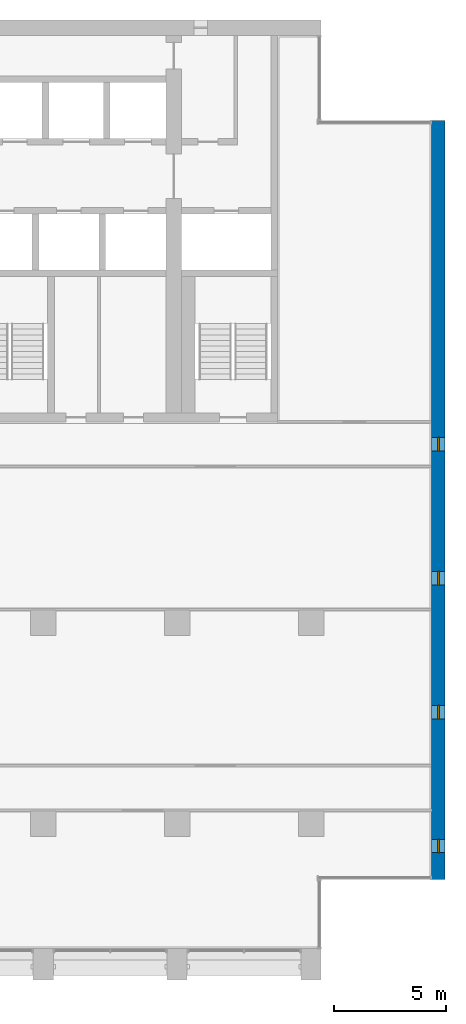
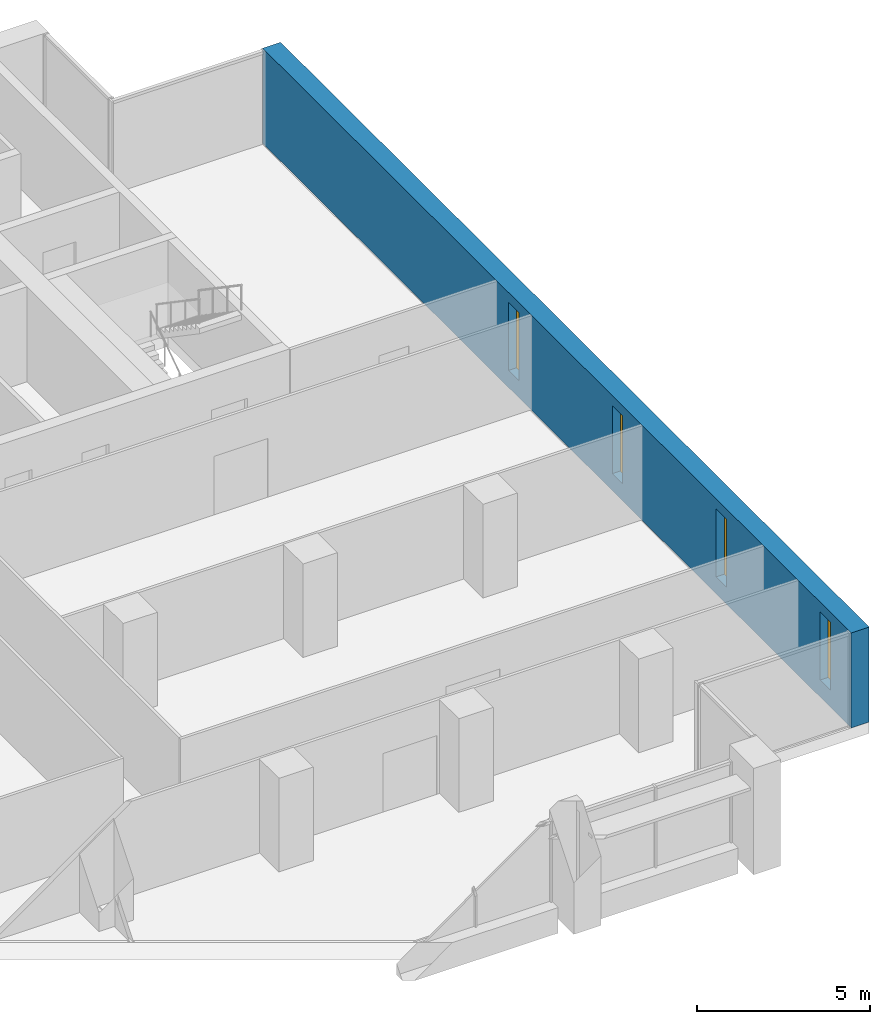
# One storey, part 12 of 16: 4 windows, 1 wall, 4 openings.
"""IFC4 building model written with IfcOpenShell, lengths in metres."""

from ifc_helpers import new_model, si_unit, direction, frame, frame_2d, origin, place, context, subcontext, project, spatial, rectangle, extrude, material, layer, layer_set, type_object, element, fill, save


model = new_model("IFC4")

# Units and contexts
model_context = context("Model", 3, precision=1e-05, world=origin(), true_north=direction((0.0, 1.0)))
body_context = subcontext(model_context, "Body", "Model", "MODEL_VIEW")
ifc_project = project(units=[si_unit("LENGTHUNIT", "METRE"), si_unit("AREAUNIT", "SQUARE_METRE"), si_unit("VOLUMEUNIT", "CUBIC_METRE"), si_unit("PLANEANGLEUNIT", "RADIAN"), si_unit("MASSUNIT", "GRAM", prefix="KILO")], contexts=[model_context])

# Site, building, storey
site_placement = place(None, origin())
site = spatial("IfcSite", under=ifc_project, at=site_placement, CompositionType="ELEMENT")
building_placement = place(site_placement, origin())
building = spatial("IfcBuilding", under=site, at=building_placement, Name="Calvaro Tower", CompositionType="ELEMENT")
storey_placement = place(building_placement, frame((0.0, 0.0, 181.75)))
storey = spatial("IfcBuildingStorey", under=building, at=storey_placement, Name="L45", CompositionType="ELEMENT", Elevation=181.75)

# Wall, openings, windows
ifc_material_1 = material(Name="Concrete C50/60", Category="concrete")
ifc_layer = layer(ifc_material_1, 0.60009765625)
ifc_layer_set = layer_set([ifc_layer], Name="Concrete C50/60")
wall_type = type_object("IfcWallType", Name="End wall 600 C50/60", PredefinedType="SHEAR", material=ifc_layer_set)
wall_placement = place(storey_placement, frame((71.699951171875, 7.5, 0.0), z_axis=(0.0, 0.0, 1.0), x_axis=(0.0, 1.0, 0.0)))
wall = element("IfcWall", 1, at=wall_placement, inside=storey, type_object=wall_type, Name="End shear wall", PredefinedType="SHEAR", context=body_context, shape_type="SweptSolid", body=[
    extrude(rectangle(XDim=34.0, YDim=0.60009765625, at=frame_2d((17.0, 0.0))), origin(), (0.0, 0.0, 1.0), 3.35009765625),
])
opening_1_placement = place(wall_placement, frame((1.199951171875, 0.0, 0.60009765625)))
opening_1 = element("IfcOpeningElement", 2, at=opening_1_placement, cuts=wall, Name="Opening WE01", PredefinedType="OPENING", context=body_context, shape_type="SweptSolid", body=[
    extrude(rectangle(XDim=0.60009765625, YDim=2.39990234375, at=frame_2d((0.300048828125, 1.199951171875))), frame((0.0, 0.31005859375, 0.0), z_axis=(0.0, -1.0, 0.0), x_axis=(1.0, 0.0, 0.0)), (0.0, 0.0, 1.0), 0.6201171875),
])
opening_2_placement = place(wall_placement, frame((7.199951171875, 0.0, 0.60009765625)))
opening_2 = element("IfcOpeningElement", 3, at=opening_2_placement, cuts=wall, Name="Opening WE02", PredefinedType="OPENING", context=body_context, shape_type="SweptSolid", body=[
    extrude(rectangle(XDim=0.60009765625, YDim=2.39990234375, at=frame_2d((0.300048828125, 1.199951171875))), frame((0.0, 0.31005859375, 0.0), z_axis=(0.0, -1.0, 0.0), x_axis=(1.0, 0.0, 0.0)), (0.0, 0.0, 1.0), 0.6201171875),
])
opening_3_placement = place(wall_placement, frame((13.199951171875, 0.0, 0.60009765625)))
opening_3 = element("IfcOpeningElement", 4, at=opening_3_placement, cuts=wall, Name="Opening WE03", PredefinedType="OPENING", context=body_context, shape_type="SweptSolid", body=[
    extrude(rectangle(XDim=0.60009765625, YDim=2.39990234375, at=frame_2d((0.300048828125, 1.199951171875))), frame((0.0, 0.31005859375, 0.0), z_axis=(0.0, -1.0, 0.0), x_axis=(1.0, 0.0, 0.0)), (0.0, 0.0, 1.0), 0.6201171875),
])
opening_4_placement = place(wall_placement, frame((19.199951171875, 0.0, 0.60009765625)))
opening_4 = element("IfcOpeningElement", 5, at=opening_4_placement, cuts=wall, Name="Opening WE04", PredefinedType="OPENING", context=body_context, shape_type="SweptSolid", body=[
    extrude(rectangle(XDim=0.60009765625, YDim=2.39990234375, at=frame_2d((0.300048828125, 1.199951171875))), frame((0.0, 0.31005859375, 0.0), z_axis=(0.0, -1.0, 0.0), x_axis=(1.0, 0.0, 0.0)), (0.0, 0.0, 1.0), 0.6201171875),
])
ifc_material_2 = material(Name="Glass", Category="glass")
window_type = type_object("IfcWindowType", Name="Slit window 600 x 2400", PartitioningType="SINGLE_PANEL", PredefinedType="WINDOW", material=ifc_material_2)
window_1_placement = place(opening_1_placement, origin())
window_1 = element("IfcWindow", 6, at=window_1_placement, inside=storey, type_object=window_type, Name="Window WE01", OverallHeight=2.39990234375, OverallWidth=0.60009765625, PartitioningType="SINGLE_PANEL", PredefinedType="WINDOW", context=body_context, shape_type="SweptSolid", body=[
    extrude(rectangle(XDim=0.60009765625, YDim=2.39990234375, at=frame_2d((0.300048828125, 1.199951171875))), frame((0.0, 0.030029296875, 0.0), z_axis=(0.0, -1.0, 0.0), x_axis=(1.0, 0.0, 0.0)), (0.0, 0.0, 1.0), 0.06005859375),
])
fill(opening_1, window_1)
window_2_placement = place(opening_2_placement, origin())
window_2 = element("IfcWindow", 7, at=window_2_placement, inside=storey, type_object=window_type, Name="Window WE02", OverallHeight=2.39990234375, OverallWidth=0.60009765625, PartitioningType="SINGLE_PANEL", PredefinedType="WINDOW", context=body_context, shape_type="SweptSolid", body=[
    extrude(rectangle(XDim=0.60009765625, YDim=2.39990234375, at=frame_2d((0.300048828125, 1.199951171875))), frame((0.0, 0.030029296875, 0.0), z_axis=(0.0, -1.0, 0.0), x_axis=(1.0, 0.0, 0.0)), (0.0, 0.0, 1.0), 0.06005859375),
])
fill(opening_2, window_2)
window_3_placement = place(opening_3_placement, origin())
window_3 = element("IfcWindow", 8, at=window_3_placement, inside=storey, type_object=window_type, Name="Window WE03", OverallHeight=2.39990234375, OverallWidth=0.60009765625, PartitioningType="SINGLE_PANEL", PredefinedType="WINDOW", context=body_context, shape_type="SweptSolid", body=[
    extrude(rectangle(XDim=0.60009765625, YDim=2.39990234375, at=frame_2d((0.300048828125, 1.199951171875))), frame((0.0, 0.030029296875, 0.0), z_axis=(0.0, -1.0, 0.0), x_axis=(1.0, 0.0, 0.0)), (0.0, 0.0, 1.0), 0.06005859375),
])
fill(opening_3, window_3)
window_4_placement = place(opening_4_placement, origin())
window_4 = element("IfcWindow", 9, at=window_4_placement, inside=storey, type_object=window_type, Name="Window WE04", OverallHeight=2.39990234375, OverallWidth=0.60009765625, PartitioningType="SINGLE_PANEL", PredefinedType="WINDOW", context=body_context, shape_type="SweptSolid", body=[
    extrude(rectangle(XDim=0.60009765625, YDim=2.39990234375, at=frame_2d((0.300048828125, 1.199951171875))), frame((0.0, 0.030029296875, 0.0), z_axis=(0.0, -1.0, 0.0), x_axis=(1.0, 0.0, 0.0)), (0.0, 0.0, 1.0), 0.06005859375),
])
fill(opening_4, window_4)

save(model, "model.ifc")
